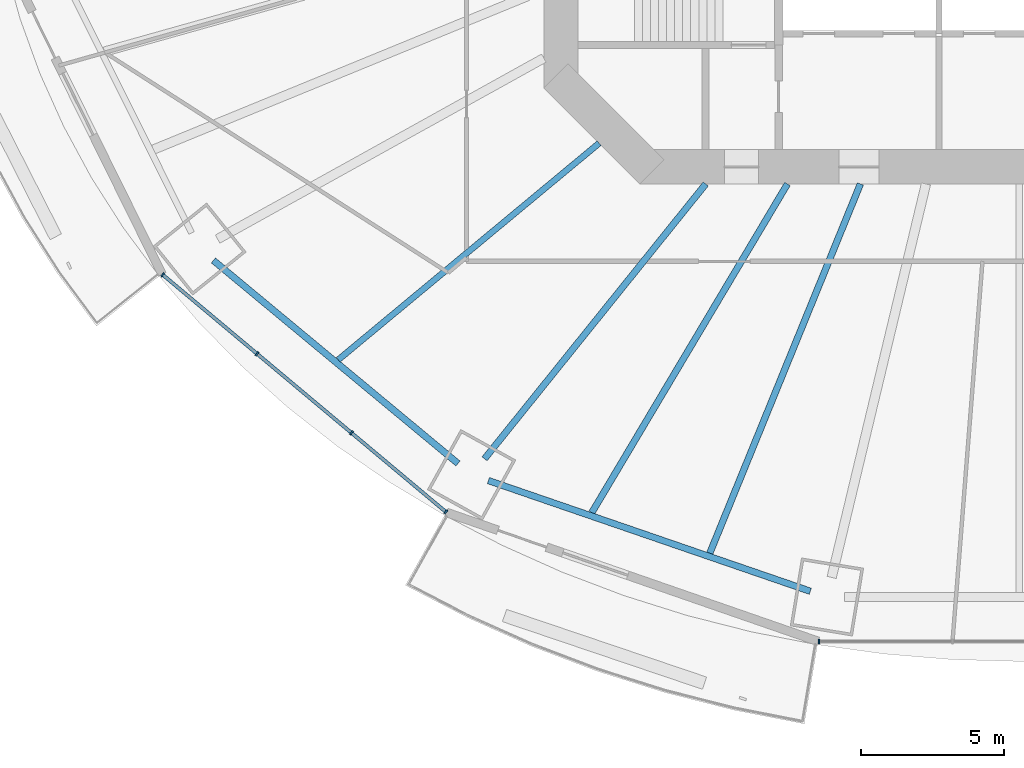
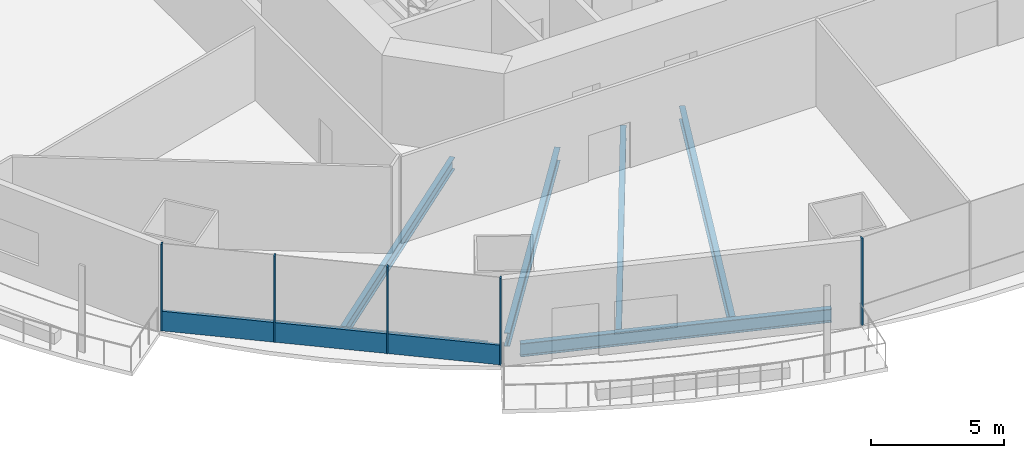
# One storey, part 2 of 23: 6 beams, 6 members, 2 elements without a shape of their own.
"""IFC4 building model written with IfcOpenShell, lengths in metres."""

import ifcopenshell
import ifcopenshell.guid

model = None  # the IFC model being written
_history = None  # IfcOwnerHistory: only IFC2X3 demands one
_inside = {}  # id of a spatial element -> (the spatial element, [elements in it])
_under = {}  # id of a project, library or spatial element -> (it, [spatial elements below it])
_declared = {}  # id of a project -> (the project, [libraries it declares])
_typed = {}  # id of a type object -> (the type object, [elements of that type])
_made_of = {}  # id of a material, layer set ... -> (it, [elements and type objects made of it])


def new_model(schema):
    """Start an empty IFC model of exactly this schema.

    Asked for "IFC4X3", IfcOpenShell would pick the latest addendum, in which some entities
    have other attributes; the version numbers below select the first issue.
    IFC2X3 requires an IfcOwnerHistory on every rooted entity: one is made here for all.
    """
    global model, _history
    if schema == "IFC4X3":
        model = ifcopenshell.file(schema_version=(4, 3, 0, 0))
    else:
        model = ifcopenshell.file(schema=schema)
    _inside.clear()
    _under.clear()
    _declared.clear()
    _typed.clear()
    _made_of.clear()
    _history = None
    if model.schema == "IFC2X3":
        org = make("IfcOrganization", Name="unknown")
        user = make(
            "IfcPersonAndOrganization",
            ThePerson=make("IfcPerson", FamilyName="unknown"),
            TheOrganization=org,
        )
        app = make(
            "IfcApplication",
            ApplicationDeveloper=org,
            Version="unknown",
            ApplicationFullName="unknown",
            ApplicationIdentifier="unknown",
        )
        _history = make(
            "IfcOwnerHistory",
            OwningUser=user,
            OwningApplication=app,
            ChangeAction="ADDED",
            CreationDate=0,
        )
    return model


def make(cls, **values):
    """One entity of the class cls with the attributes given. An attribute that is None is left unset."""
    return model.create_entity(
        cls, **{name: value for name, value in values.items() if value is not None}
    )


def rooted(cls, **values):
    """An entity with a GlobalId (a new one), such as an element, a storey or a relation."""
    return make(cls, GlobalId=ifcopenshell.guid.new(), OwnerHistory=_history, **values)


def si_unit(unit_type, name, prefix=None):
    """IfcSIUnit, for example si_unit("LENGTHUNIT", "METRE", prefix="MILLI")."""
    return make("IfcSIUnit", UnitType=unit_type, Prefix=prefix, Name=name)


def assignment(units):
    """IfcUnitAssignment: the units of a project."""
    return None if units is None else make("IfcUnitAssignment", Units=units)


def point(xyz):
    """IfcCartesianPoint."""
    return None if xyz is None else make("IfcCartesianPoint", Coordinates=xyz)


def direction(xyz):
    """IfcDirection."""
    return None if xyz is None else make("IfcDirection", DirectionRatios=xyz)


def frame(location, z_axis=None, x_axis=None):
    """IfcAxis2Placement3D, a coordinate frame: its origin and axes. An axis left out is left unset."""
    return make(
        "IfcAxis2Placement3D",
        Location=point(location),
        Axis=direction(z_axis),
        RefDirection=direction(x_axis),
    )


def frame_2d(location, x_axis=None):
    """IfcAxis2Placement2D, a coordinate frame in the plane: its origin and x axis."""
    return make(
        "IfcAxis2Placement2D", Location=point(location), RefDirection=direction(x_axis)
    )


def origin():
    """The frame at (0, 0, 0) with its axes left unset."""
    return frame((0.0, 0.0, 0.0))


def origin_2d():
    """The frame at (0, 0) in the plane with its x axis left unset."""
    return frame_2d((0.0, 0.0))


def place(relative_to, where):
    """IfcLocalPlacement: puts the frame where relative to a parent placement (None: the world)."""
    return make(
        "IfcLocalPlacement", PlacementRelTo=relative_to, RelativePlacement=where
    )


def context(
    kind, dimensions, precision=None, world=None, true_north=None, identifier=None
):
    """IfcGeometricRepresentationContext, for example the 3D "Model" context."""
    return make(
        "IfcGeometricRepresentationContext",
        ContextIdentifier=identifier,
        ContextType=kind,
        CoordinateSpaceDimension=dimensions,
        Precision=precision,
        WorldCoordinateSystem=world,
        TrueNorth=true_north,
    )


def subcontext(parent, identifier, kind, view, scale=None):
    """IfcGeometricRepresentationSubContext, for example "Body" below "Model"."""
    return make(
        "IfcGeometricRepresentationSubContext",
        ContextIdentifier=identifier,
        ContextType=kind,
        ParentContext=parent,
        TargetScale=scale,
        TargetView=view,
    )


def project(units=None, contexts=None):
    """IfcProject with its units and contexts."""
    return rooted(
        "IfcProject",
        Name="project",
        RepresentationContexts=contexts,
        UnitsInContext=assignment(units),
    )


def spatial(cls, under=None, at=None, **own):
    """A site, building, storey or space (cls), placed at a placement, below another one or the project."""
    s = rooted(cls, ObjectPlacement=at, **own)
    if under is not None:
        _under.setdefault(under.id(), (under, []))[1].append(s)
    return s


def profile(cls, at=None, kind="AREA", **sizes):
    """A parametric profile (cls). Its sizes go by their IFC names, for example OverallWidth=200.0."""
    return make(cls, ProfileType=kind, Position=at, **sizes)


def rectangle(**sizes):
    """IfcRectangleProfileDef."""
    return profile("IfcRectangleProfileDef", **sizes)


def i_section(**sizes):
    """IfcIShapeProfileDef."""
    return profile("IfcIShapeProfileDef", **sizes)


def extrude(swept, where, along, depth):
    """IfcExtrudedAreaSolid: the profile swept, set in the frame where, extruded along a direction by depth."""
    return make(
        "IfcExtrudedAreaSolid",
        SweptArea=swept,
        Position=where,
        ExtrudedDirection=direction(along),
        Depth=depth,
    )


def shape(context_of_items, identifier, shape_type, items):
    """IfcShapeRepresentation: the items that make up one representation, for example the "Body"."""
    return make(
        "IfcShapeRepresentation",
        ContextOfItems=context_of_items,
        RepresentationIdentifier=identifier,
        RepresentationType=shape_type,
        Items=items,
    )


def material(Name=None, Category=None):
    """IfcMaterial."""
    return make("IfcMaterial", Name=Name, Category=Category)


def material_profile(
    of_material, cross_section, Name=None, Category=None, Priority=None
):
    """IfcMaterialProfile: a cross section and its material."""
    return make(
        "IfcMaterialProfile",
        Name=Name,
        Material=of_material,
        Profile=cross_section,
        Priority=Priority,
        Category=Category,
    )


def profile_set(profiles, Name=None, composite=None):
    """IfcMaterialProfileSet."""
    return make(
        "IfcMaterialProfileSet",
        Name=Name,
        MaterialProfiles=profiles,
        CompositeProfile=composite,
    )


def made_of(thing, what):
    """Note that an element or type object is made of a material, layer set ...; save() writes the relation."""
    if what is not None:
        _made_of.setdefault(what.id(), (what, []))[1].append(thing)
    return thing


def type_object(cls, material=None, **own):
    """A type object (cls), such as IfcWallType, which elements share."""
    return made_of(rooted(cls, **own), material)


def element(
    cls,
    number,
    at=None,
    inside=None,
    cuts=None,
    type_object=None,
    material=None,
    context=None,
    identifier="Body",
    shape_type=None,
    held_by="IfcProductDefinitionShape",
    body=None,
    shapes=None,
    **own,
):
    """One element of the class cls, such as IfcWall. Its Tag is "e" and its number.

    at: its placement. inside: the storey or other place that contains it. cuts: it is an
    opening in that element (IfcRelVoidsElement). A single representation is given by context,
    identifier, shape_type and body (its items); several are given by shapes. held_by: the class
    of the entity that holds the representations. save() writes the other relations.
    """
    e = rooted(cls, Tag="e%d" % number, ObjectPlacement=at, **own)
    if body is not None:
        shapes = [shape(context, identifier, shape_type, body)]
    if shapes is not None:
        e.Representation = make(held_by, Representations=shapes)
    if inside is not None:
        _inside.setdefault(inside.id(), (inside, []))[1].append(e)
    if cuts is not None:
        rooted(
            "IfcRelVoidsElement", RelatingBuildingElement=cuts, RelatedOpeningElement=e
        )
    if type_object is not None:
        _typed.setdefault(type_object.id(), (type_object, []))[1].append(e)
    return made_of(e, material)


def aggregate(whole, parts):
    """IfcRelAggregates: a whole, such as a stair, and the parts it consists of."""
    return rooted("IfcRelAggregates", RelatingObject=whole, RelatedObjects=parts)


def save(model, path):
    """Write the relations noted so far, then the file.

    IfcRelAggregates (storeys below a building ...), IfcRelContainedInSpatialStructure (elements
    in a storey), IfcRelDefinesByType, IfcRelAssociatesMaterial and IfcRelDeclares: one each for
    every whole, place, type object, material and project.
    """
    for whole, parts in _under.values():
        aggregate(whole, parts)
    for where, things in _inside.values():
        rooted(
            "IfcRelContainedInSpatialStructure",
            RelatedElements=things,
            RelatingStructure=where,
        )
    for kind, things in _typed.values():
        rooted("IfcRelDefinesByType", RelatedObjects=things, RelatingType=kind)
    for what, things in _made_of.values():
        rooted("IfcRelAssociatesMaterial", RelatedObjects=things, RelatingMaterial=what)
    for by, libraries in _declared.values():
        rooted("IfcRelDeclares", RelatingContext=by, RelatedDefinitions=libraries)
    model.write(path)


model = new_model("IFC4")

# Units and contexts
model_context = context("Model", 3, precision=1e-05, world=origin(), true_north=direction((0.0, 1.0)))
body_context = subcontext(model_context, "Body", "Model", "MODEL_VIEW")
ifc_project = project(units=[si_unit("LENGTHUNIT", "METRE"), si_unit("AREAUNIT", "SQUARE_METRE"), si_unit("VOLUMEUNIT", "CUBIC_METRE"), si_unit("PLANEANGLEUNIT", "RADIAN"), si_unit("MASSUNIT", "GRAM", prefix="KILO")], contexts=[model_context])

# Site, building, storey
site_placement = place(None, origin())
site = spatial("IfcSite", under=ifc_project, at=site_placement, CompositionType="ELEMENT")
building_placement = place(site_placement, origin())
building = spatial("IfcBuilding", under=site, at=building_placement, Name="Marenthal Gate Tower", CompositionType="ELEMENT")
storey_placement = place(building_placement, frame((0.0, 0.0, 57.89990234375)))
storey = spatial("IfcBuildingStorey", under=building, at=storey_placement, Name="L10", CompositionType="ELEMENT", Elevation=57.89990234375)

# Curtain wall, members
ifc_material_1 = material(Name="Aluminium and glass", Category="aluminium")
curtain_wall_type = type_object("IfcCurtainWallType", Name="Curtain wall typical low", PredefinedType="NOTDEFINED", material=ifc_material_1)
curtain_wall_1_placement = place(storey_placement, origin())
curtain_wall_1 = element("IfcCurtainWall", 1, at=curtain_wall_1_placement, inside=storey, type_object=curtain_wall_type, Name="Curtain wall L10 bay 10", PredefinedType="NOTDEFINED")
ifc_material_2 = material(Name="Aluminium", Category="aluminium")
ifc_material_profile_1 = material_profile(ifc_material_2, rectangle(XDim=0.159912109375, YDim=0.06005859375, at=origin_2d()), Name="60x160 aluminium mullion")
ifc_profile_set_1 = profile_set([ifc_material_profile_1], Name="Aluminium")
member_type_1 = type_object("IfcMemberType", Name="Mullion 60x160 typical low", PredefinedType="MULLION", material=ifc_profile_set_1)
member_1_placement = place(storey_placement, frame((-29.90576171875, -16.76904296875, 0.0), z_axis=(0.0, 0.0, 1.0), x_axis=(0.642111737517, 0.766611059497, 0.0)))
member_1 = element("IfcMember", 2, at=member_1_placement, type_object=member_type_1, Name="Mullion L10 bay 10.1", PredefinedType="MULLION", context=body_context, shape_type="SweptSolid", body=[
    extrude(rectangle(XDim=0.159912109375, YDim=0.06005859375, at=origin_2d()), origin(), (0.0, 0.0, 1.0), 3.97021484375),
])
member_2_placement = place(storey_placement, frame((-26.61083984375, -19.529052734375, 0.0), z_axis=(0.0, 0.0, 1.0), x_axis=(0.642111737517, 0.766611059497, 0.0)))
member_2 = element("IfcMember", 3, at=member_2_placement, type_object=member_type_1, Name="Mullion L10 bay 10.2", PredefinedType="MULLION", context=body_context, shape_type="SweptSolid", body=[
    extrude(rectangle(XDim=0.159912109375, YDim=0.06005859375, at=origin_2d()), origin(), (0.0, 0.0, 1.0), 3.97021484375),
])
member_3_placement = place(storey_placement, frame((-23.315673828125, -22.288818359375, 0.0), z_axis=(0.0, 0.0, 1.0), x_axis=(0.642111737517, 0.766611059497, 0.0)))
member_3 = element("IfcMember", 4, at=member_3_placement, type_object=member_type_1, Name="Mullion L10 bay 10.3", PredefinedType="MULLION", context=body_context, shape_type="SweptSolid", body=[
    extrude(rectangle(XDim=0.159912109375, YDim=0.06005859375, at=origin_2d()), origin(), (0.0, 0.0, 1.0), 3.97021484375),
])
member_4_placement = place(storey_placement, frame((-20.020751953125, -25.048828125, 0.0), z_axis=(0.0, 0.0, 1.0), x_axis=(0.642111737517, 0.766611059497, 0.0)))
member_4 = element("IfcMember", 5, at=member_4_placement, type_object=member_type_1, Name="Mullion L10 bay 10.4", PredefinedType="MULLION", context=body_context, shape_type="SweptSolid", body=[
    extrude(rectangle(XDim=0.159912109375, YDim=0.06005859375, at=origin_2d()), origin(), (0.0, 0.0, 1.0), 3.97021484375),
])

# Curtain wall, member
curtain_wall_2_placement = place(storey_placement, origin())
curtain_wall_2 = element("IfcCurtainWall", 6, at=curtain_wall_2_placement, inside=storey, type_object=curtain_wall_type, Name="Curtain wall L10 bay 12", PredefinedType="NOTDEFINED")
member_5_placement = place(storey_placement, frame((-6.9921875, -29.569580078125, 0.0), z_axis=(0.0, 0.0, 1.0), x_axis=(0.0, 1.0, 0.0)))
member_5 = element("IfcMember", 7, at=member_5_placement, type_object=member_type_1, Name="Mullion L10 bay 12.1", PredefinedType="MULLION", context=body_context, shape_type="SweptSolid", body=[
    extrude(rectangle(XDim=0.159912109375, YDim=0.06005859375, at=origin_2d()), origin(), (0.0, 0.0, 1.0), 3.97021484375),
])
aggregate(curtain_wall_2, [member_5])

# Member
ifc_material_3 = material(Name="Aluminium", Category="aluminium")
ifc_material_profile_2 = material_profile(ifc_material_3, rectangle(XDim=0.1201171875, YDim=0.89990234375, at=origin_2d()), Name="120x900 aluminium transom")
ifc_profile_set_2 = profile_set([ifc_material_profile_2], Name="Aluminium")
member_type_2 = type_object("IfcMemberType", Name="Transom 120x900 typical low", PredefinedType="USERDEFINED", material=ifc_profile_set_2)
member_6_placement = place(storey_placement, frame((-29.8828125, -16.788330078125, 0.4501953125), z_axis=(0.766611330769, -0.642111413648, 0.0), x_axis=(0.642111413648, 0.766611330769, 0.0)))
member_6 = element("IfcMember", 8, at=member_6_placement, type_object=member_type_2, Name="Transom L10 bay 10", ObjectType="TRANSOM", PredefinedType="USERDEFINED", context=body_context, shape_type="SweptSolid", body=[
    extrude(rectangle(XDim=0.1201171875, YDim=0.89990234375, at=origin_2d()), origin(), (0.0, 0.0, 1.0), 12.83447265625),
])

aggregate(curtain_wall_1, [member_1, member_2, member_3, member_4, member_6])

# Beams
ifc_material_4 = material(Name="Steel S355", Category="steel")
ifc_material_profile_3 = material_profile(ifc_material_4, i_section(OverallWidth=0.2119140625, OverallDepth=0.5439453125, WebThickness=0.01318359375, FlangeThickness=0.021240234375, FilletRadius=0.0126953125, at=origin_2d()), Name="W530X123")
ifc_profile_set_3 = profile_set([ifc_material_profile_3], Name="Steel S355")
beam_type_1 = type_object("IfcBeamType", Name="W530X123 beam", PredefinedType="BEAM", material=ifc_profile_set_3)
beam_1_placement = place(storey_placement, frame((-23.77783203125, -19.73876953125, -0.451904296875), z_axis=(0.769432069778, 0.638728651304, 0.0), x_axis=(-0.638728651304, 0.769432069778, 0.0)))
element("IfcBeam", 9, at=beam_1_placement, inside=storey, type_object=beam_type_1, Name="BM-L10-31", PredefinedType="BEAM", context=body_context, shape_type="SweptSolid", body=[
    extrude(i_section(OverallWidth=0.2119140625, OverallDepth=0.5439453125, WebThickness=0.01318359375, FlangeThickness=0.021240234375, FilletRadius=0.0126953125, at=origin_2d()), origin(), (0.0, 0.0, 1.0), 11.8369140625),
])
ifc_material_5 = material(Name="Steel S355", Category="steel")
ifc_material_profile_4 = material_profile(ifc_material_5, i_section(OverallWidth=0.22900390625, OverallDepth=0.612060546875, WebThickness=0.011962890625, FlangeThickness=0.01953125, FilletRadius=0.0126953125, at=origin_2d()), Name="W610X125")
ifc_profile_set_4 = profile_set([ifc_material_profile_4], Name="Steel S355")
beam_type_2 = type_object("IfcBeamType", Name="W610X125 beam", PredefinedType="BEAM", material=ifc_profile_set_4)
beam_2_placement = place(storey_placement, frame((-18.669921875, -23.195068359375, -0.48583984375), z_axis=(0.62702730147, 0.778997280618, 0.0), x_axis=(-0.778997280618, 0.62702730147, 0.0)))
element("IfcBeam", 10, at=beam_2_placement, inside=storey, type_object=beam_type_2, Name="BM-L10-11", PredefinedType="BEAM", context=body_context, shape_type="SweptSolid", body=[
    extrude(i_section(OverallWidth=0.22900390625, OverallDepth=0.612060546875, WebThickness=0.011962890625, FlangeThickness=0.01953125, FilletRadius=0.0126953125, at=origin_2d()), origin(), (0.0, 0.0, 1.0), 12.317138671875),
])
beam_3_placement = place(storey_placement, frame((-14.9248046875, -25.07568359375, -0.48583984375), z_axis=(0.51146264721, 0.859305510578, 0.0), x_axis=(-0.859305510578, 0.51146264721, 0.0)))
element("IfcBeam", 11, at=beam_3_placement, inside=storey, type_object=beam_type_2, Name="BM-L10-32", PredefinedType="BEAM", context=body_context, shape_type="SweptSolid", body=[
    extrude(i_section(OverallWidth=0.22900390625, OverallDepth=0.612060546875, WebThickness=0.011962890625, FlangeThickness=0.01953125, FilletRadius=0.0126953125, at=origin_2d()), origin(), (0.0, 0.0, 1.0), 13.3544921875),
])
beam_4_placement = place(storey_placement, frame((-10.805908203125, -26.491943359375, -0.48583984375), z_axis=(0.377685635209, 0.925933885845, 0.0), x_axis=(-0.925933885845, 0.377685635209, 0.0)))
element("IfcBeam", 12, at=beam_4_placement, inside=storey, type_object=beam_type_2, Name="BM-L10-33", PredefinedType="BEAM", context=body_context, shape_type="SweptSolid", body=[
    extrude(i_section(OverallWidth=0.22900390625, OverallDepth=0.612060546875, WebThickness=0.011962890625, FlangeThickness=0.01953125, FilletRadius=0.0126953125, at=origin_2d()), origin(), (0.0, 0.0, 1.0), 13.923095703125),
])
beam_5_placement = place(storey_placement, frame((-28.135986328125, -16.26953125, -0.48583984375), z_axis=(0.769424366687, -0.63873793057, 0.0), x_axis=(0.63873793057, 0.769424366687, 0.0)))
element("IfcBeam", 13, at=beam_5_placement, inside=storey, type_object=beam_type_2, Name="BM-L10-50", PredefinedType="BEAM", context=body_context, shape_type="SweptSolid", body=[
    extrude(i_section(OverallWidth=0.22900390625, OverallDepth=0.612060546875, WebThickness=0.011962890625, FlangeThickness=0.01953125, FilletRadius=0.0126953125, at=origin_2d()), origin(), (0.0, 0.0, 1.0), 11.0986328125),
])
beam_6_placement = place(storey_placement, frame((-18.536376953125, -23.954833984375, -0.48583984375), z_axis=(0.945656601656, -0.325167021304, 0.0), x_axis=(0.325167021304, 0.945656601656, 0.0)))
element("IfcBeam", 14, at=beam_6_placement, inside=storey, type_object=beam_type_2, Name="BM-L10-51", PredefinedType="BEAM", context=body_context, shape_type="SweptSolid", body=[
    extrude(i_section(OverallWidth=0.22900390625, OverallDepth=0.612060546875, WebThickness=0.011962890625, FlangeThickness=0.01953125, FilletRadius=0.0126953125, at=origin_2d()), origin(), (0.0, 0.0, 1.0), 11.88623046875),
])

save(model, "model.ifc")
